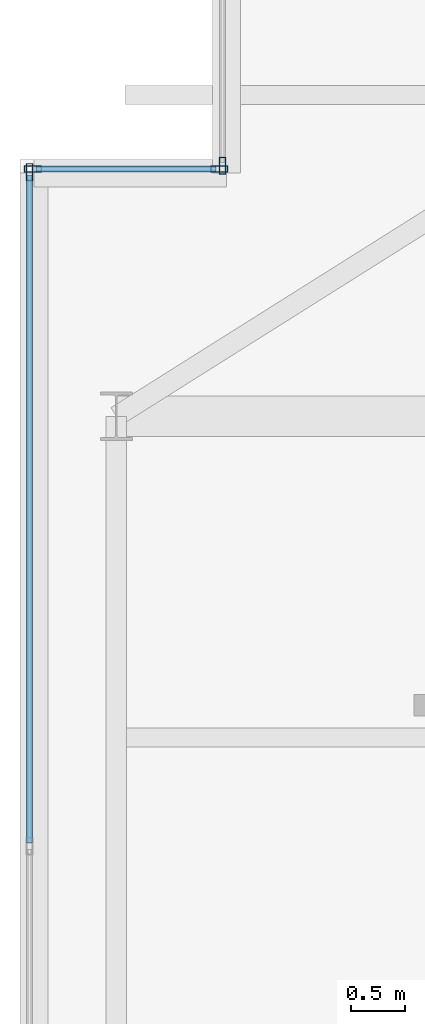
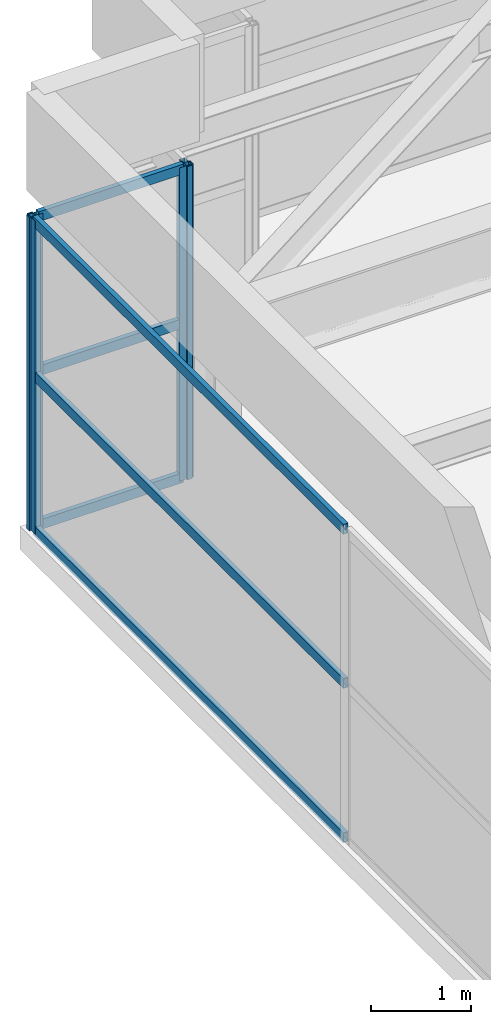
# One storey, part 20 of 33: 10 members, 3 elements without a shape of their own.
"""IFC4 building model written with IfcOpenShell, lengths in metres."""

from ifc_helpers import new_model, si_unit, direction, frame, origin, origin_2d, place, context, subcontext, project, spatial, hollow_rectangle, extrude, source, transform, mapped, material, layer, layer_set, material_profile, profile_set, type_object, element, aggregate, save


model = new_model("IFC4")

# Units and contexts
model_context = context("Model", 3, precision=1e-05, world=origin(), true_north=direction((0.0, 1.0)))
body_context = subcontext(model_context, "Body", "Model", "MODEL_VIEW")
ifc_project = project(units=[si_unit("LENGTHUNIT", "METRE"), si_unit("AREAUNIT", "SQUARE_METRE"), si_unit("VOLUMEUNIT", "CUBIC_METRE"), si_unit("PLANEANGLEUNIT", "RADIAN"), si_unit("MASSUNIT", "GRAM", prefix="KILO")], contexts=[model_context])

# Site, building, storey
site_placement = place(None, origin())
site = spatial("IfcSite", under=ifc_project, at=site_placement, CompositionType="ELEMENT")
building_placement = place(site_placement, origin())
building = spatial("IfcBuilding", under=site, at=building_placement, Name="Khoralis Quay Care Tower", CompositionType="ELEMENT")
storey_placement = place(building_placement, frame((0.0, 0.0, 314.699951171875)))
storey = spatial("IfcBuildingStorey", under=building, at=storey_placement, Name="L82", CompositionType="ELEMENT", Elevation=314.699951171875)

# Curtain wall, members
ifc_material = material(Name="Pale anodised aluminium", Category="aluminium")
ifc_layer = layer(ifc_material, 0.199951171875)
ifc_layer_set = layer_set([ifc_layer], Name="Pale anodised aluminium")
curtain_wall_type = type_object("IfcCurtainWallType", Name="CW-SYS-LANTERN", PredefinedType="NOTDEFINED", material=ifc_layer_set)
curtain_wall_1_placement = place(storey_placement, origin())
curtain_wall_1 = element("IfcCurtainWall", 1, at=curtain_wall_1_placement, inside=storey, type_object=curtain_wall_type, Name="L82 Unitised Curtain Wall CW-LN-L82-16", PredefinedType="NOTDEFINED")
ifc_material_profile_1 = material_profile(ifc_material, hollow_rectangle(XDim=0.054931640625, YDim=0.1201171875, WallThickness=0.00390625, at=origin_2d()), Name="Pale anodised aluminium")
ifc_profile_set_1 = profile_set([ifc_material_profile_1], Name="Pale anodised aluminium")
member_type_1 = type_object("IfcMemberType", Name="CW-TRN-120", PredefinedType="USERDEFINED", material=ifc_profile_set_1)
shared_shape_1 = source(origin(), body_context, "Body", "SweptSolid", [
    extrude(hollow_rectangle(XDim=0.054931640625, YDim=0.1201171875, WallThickness=0.00390625, at=origin_2d()), origin(), (0.0, 0.0, 1.0), 6.23388671875),
])
member_1_placement = place(storey_placement, frame((3.090087890625, 38.25, 0.030029296875), z_axis=(0.0, -1.0, 0.0), x_axis=(1.0, 0.0, 0.0)))
member_1 = element("IfcMember", 2, at=member_1_placement, type_object=member_type_1, Name="CW5 transom 1.1", ObjectType="TRANSOM", PredefinedType="USERDEFINED", context=body_context, shape_type="MappedRepresentation", body=[
    mapped(shared_shape_1, transform((0.0, 0.0, 0.0), scale=1.0)),
])
member_2_placement = place(storey_placement, frame((3.090087890625, 38.25, 1.920166015625), z_axis=(0.0, -1.0, 0.0), x_axis=(1.0, 0.0, 0.0)))
member_2 = element("IfcMember", 3, at=member_2_placement, type_object=member_type_1, Name="CW5 transom 1.2", ObjectType="TRANSOM", PredefinedType="USERDEFINED", context=body_context, shape_type="MappedRepresentation", body=[
    mapped(shared_shape_1, transform((0.0, 0.0, 0.0), scale=1.0)),
])
member_3_placement = place(storey_placement, frame((3.090087890625, 38.25, 3.81005859375), z_axis=(0.0, -1.0, 0.0), x_axis=(1.0, 0.0, 0.0)))
member_3 = element("IfcMember", 4, at=member_3_placement, type_object=member_type_1, Name="CW5 transom 1.3", ObjectType="TRANSOM", PredefinedType="USERDEFINED", context=body_context, shape_type="MappedRepresentation", body=[
    mapped(shared_shape_1, transform((0.0, 0.0, 0.0), scale=1.0)),
])

curtain_wall_2_placement = place(storey_placement, origin())
curtain_wall_2 = element("IfcCurtainWall", 5, at=curtain_wall_2_placement, inside=storey, type_object=curtain_wall_type, Name="L82 Unitised Curtain Wall CW-LN-L82-15", PredefinedType="NOTDEFINED")
shared_shape_2 = source(origin(), body_context, "Body", "SweptSolid", [
    extrude(hollow_rectangle(XDim=0.054931640625, YDim=0.1201171875, WallThickness=0.00390625, at=origin_2d()), origin(), (0.0, 0.0, 1.0), 1.68017578125),
])
member_4_placement = place(storey_placement, frame((4.830078125, 38.31005859375, 0.030029296875), z_axis=(-1.0, 0.0, 0.0), x_axis=(0.0, -1.0, 0.0)))
member_4 = element("IfcMember", 6, at=member_4_placement, type_object=member_type_1, Name="CW5 transom 1.1", ObjectType="TRANSOM", PredefinedType="USERDEFINED", context=body_context, shape_type="MappedRepresentation", body=[
    mapped(shared_shape_2, transform((0.0, 0.0, 0.0), scale=1.0)),
])
member_5_placement = place(storey_placement, frame((4.830078125, 38.31005859375, 1.920166015625), z_axis=(-1.0, 0.0, 0.0), x_axis=(0.0, -1.0, 0.0)))
member_5 = element("IfcMember", 7, at=member_5_placement, type_object=member_type_1, Name="CW5 transom 1.2", ObjectType="TRANSOM", PredefinedType="USERDEFINED", context=body_context, shape_type="MappedRepresentation", body=[
    mapped(shared_shape_2, transform((0.0, 0.0, 0.0), scale=1.0)),
])
member_6_placement = place(storey_placement, frame((4.830078125, 38.31005859375, 3.81005859375), z_axis=(-1.0, 0.0, 0.0), x_axis=(0.0, -1.0, 0.0)))
member_6 = element("IfcMember", 8, at=member_6_placement, type_object=member_type_1, Name="CW5 transom 1.3", ObjectType="TRANSOM", PredefinedType="USERDEFINED", context=body_context, shape_type="MappedRepresentation", body=[
    mapped(shared_shape_2, transform((0.0, 0.0, 0.0), scale=1.0)),
])

# Curtain wall, member
curtain_wall_3_placement = place(storey_placement, origin())
curtain_wall_3 = element("IfcCurtainWall", 9, at=curtain_wall_3_placement, inside=storey, type_object=curtain_wall_type, Name="L82 Unitised Curtain Wall CW-LN-L82-14", PredefinedType="NOTDEFINED")
ifc_material_profile_2 = material_profile(ifc_material, hollow_rectangle(XDim=0.06005859375, YDim=0.159912109375, WallThickness=0.00390625, at=origin_2d()), Name="Pale anodised aluminium")
ifc_profile_set_2 = profile_set([ifc_material_profile_2], Name="Pale anodised aluminium")
member_type_2 = type_object("IfcMemberType", Name="CW-MUL-160", PredefinedType="MULLION", material=ifc_profile_set_2)
shared_shape_3 = source(origin(), body_context, "Body", "SweptSolid", [
    extrude(hollow_rectangle(XDim=0.06005859375, YDim=0.159912109375, WallThickness=0.00390625, at=origin_2d()), origin(), (0.0, 0.0, 1.0), 3.840087890625),
])
member_7_placement = place(storey_placement, frame((4.889892578125, 38.340087890625, 0.0), z_axis=(0.0, 0.0, 1.0), x_axis=(1.0, 0.0, 0.0)))
member_7 = element("IfcMember", 10, at=member_7_placement, type_object=member_type_2, Name="CW5 mullion 2", PredefinedType="MULLION", context=body_context, shape_type="MappedRepresentation", body=[
    mapped(shared_shape_3, transform((0.0, 0.0, 0.0), scale=1.0)),
])
aggregate(curtain_wall_3, [member_7])

# Member
member_8_placement = place(storey_placement, frame((4.860107421875, 38.31005859375, 0.0), z_axis=(0.0, 0.0, 1.0), x_axis=(0.0, -1.0, 0.0)))
member_8 = element("IfcMember", 11, at=member_8_placement, type_object=member_type_2, Name="CW5 mullion 1", PredefinedType="MULLION", context=body_context, shape_type="MappedRepresentation", body=[
    mapped(shared_shape_3, transform((0.0, 0.0, 0.0), scale=1.0)),
])

member_9_placement = place(storey_placement, frame((3.1201171875, 38.31005859375, 0.0), z_axis=(0.0, 0.0, 1.0), x_axis=(0.0, -1.0, 0.0)))
member_9 = element("IfcMember", 12, at=member_9_placement, type_object=member_type_2, Name="CW5 mullion 2", PredefinedType="MULLION", context=body_context, shape_type="MappedRepresentation", body=[
    mapped(shared_shape_3, transform((0.0, 0.0, 0.0), scale=1.0)),
])

aggregate(curtain_wall_2, [member_8, member_9, member_4, member_5, member_6])

member_10_placement = place(storey_placement, frame((3.090087890625, 38.280029296875, 0.0), z_axis=(0.0, 0.0, 1.0), x_axis=(1.0, 0.0, 0.0)))
member_10 = element("IfcMember", 13, at=member_10_placement, type_object=member_type_2, Name="CW5 mullion 1", PredefinedType="MULLION", context=body_context, shape_type="MappedRepresentation", body=[
    mapped(shared_shape_3, transform((0.0, 0.0, 0.0), scale=1.0)),
])

aggregate(curtain_wall_1, [member_10, member_1, member_2, member_3])

save(model, "model.ifc")
